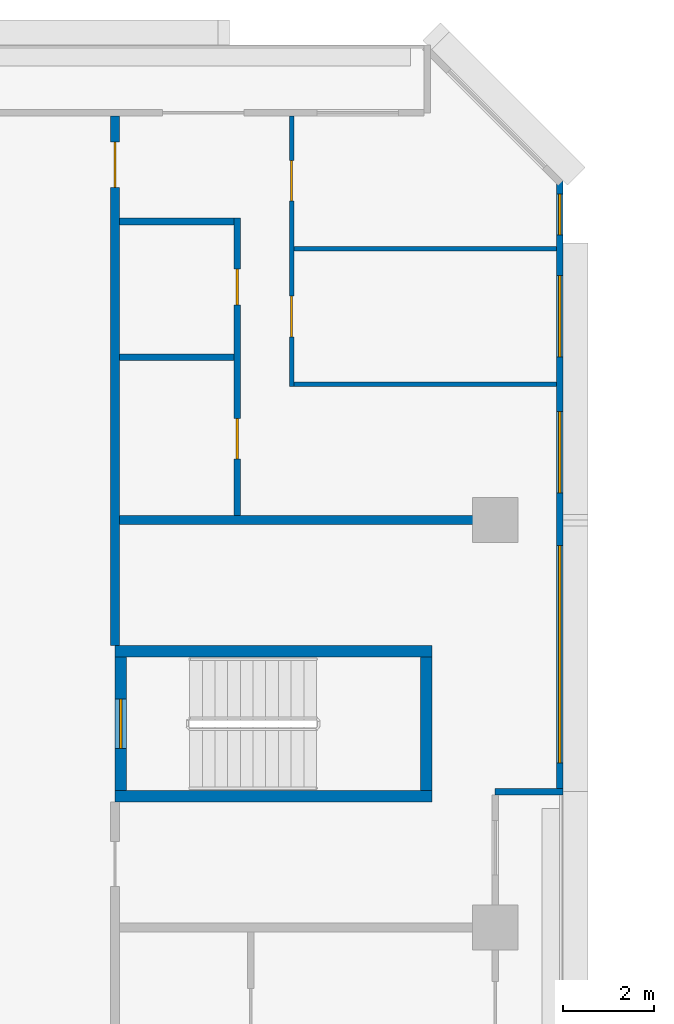
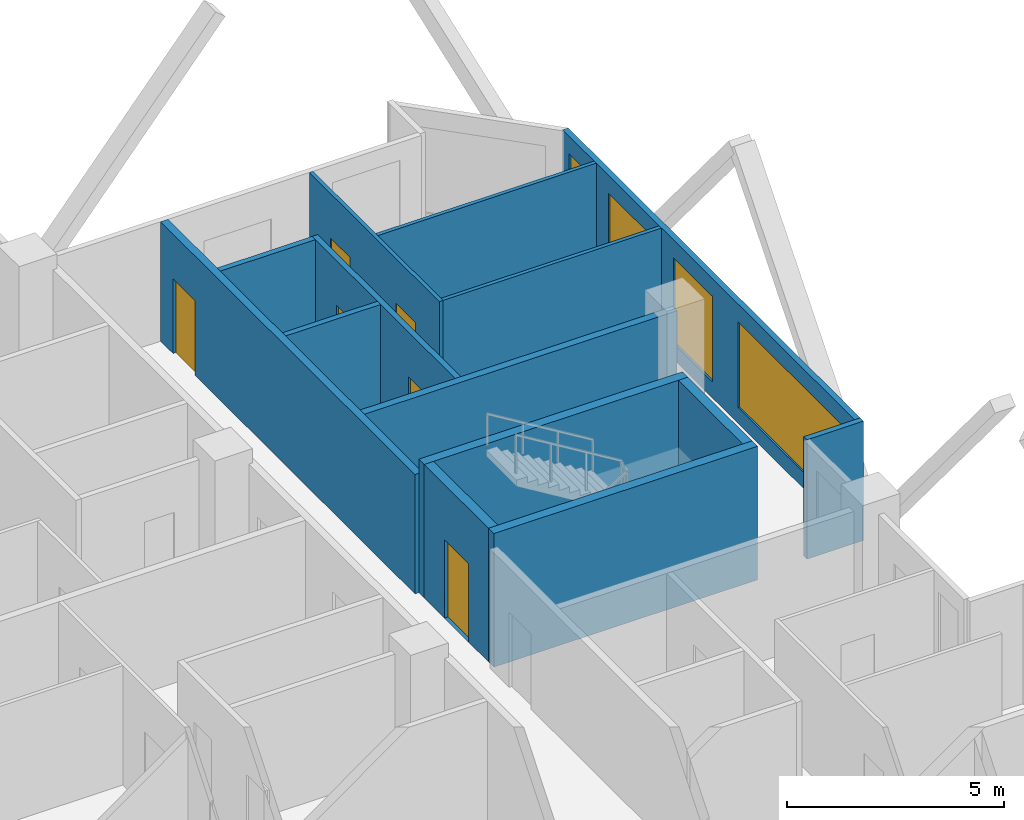
# One storey, part 11 of 16: 14 walls, 6 doors, 4 windows, 10 openings.
"""IFC4 building model written with IfcOpenShell, lengths in metres."""

from ifc_helpers import new_model, si_unit, direction, frame, frame_2d, origin, place, context, subcontext, project, spatial, rectangle, extrude, material, layer, layer_set, type_object, element, fill, save


model = new_model("IFC4")

# Units and contexts
model_context = context("Model", 3, precision=1e-05, world=origin(), true_north=direction((0.0, 1.0)))
body_context = subcontext(model_context, "Body", "Model", "MODEL_VIEW")
ifc_project = project(units=[si_unit("LENGTHUNIT", "METRE"), si_unit("AREAUNIT", "SQUARE_METRE"), si_unit("VOLUMEUNIT", "CUBIC_METRE"), si_unit("PLANEANGLEUNIT", "RADIAN"), si_unit("MASSUNIT", "GRAM", prefix="KILO")], contexts=[model_context])

# Site, building, storey
site_placement = place(None, origin())
site = spatial("IfcSite", under=ifc_project, at=site_placement, CompositionType="ELEMENT")
building_placement = place(site_placement, origin())
building = spatial("IfcBuilding", under=site, at=building_placement, Name="Chenar Terraces", CompositionType="ELEMENT")
storey_placement = place(building_placement, frame((0.0, 0.0, 99.39990234375)))
storey = spatial("IfcBuildingStorey", under=building, at=storey_placement, Name="L22", CompositionType="ELEMENT", Elevation=99.39990234375)

# Walls
ifc_material_1 = material(Name="Concrete C70/85", Category="concrete")
ifc_layer_1 = layer(ifc_material_1, 0.25)
ifc_layer_set_1 = layer_set([ifc_layer_1], Name="Concrete C70/85")
wall_type_1 = type_object("IfcWallType", Name="Core wall 250 Concrete C70/85", PredefinedType="SHEAR", material=ifc_layer_set_1)
for number, where, z_axis, x_axis, name in (
    (1, (15.60009765625, 47.89990234375, 0.0), (0.0, 0.0, 1.0), (1.0, 0.0, 0.0), "Core wall ST4_S L22"),
    (2, (15.60009765625, 51.10009765625, 0.0), (0.0, 0.0, 1.0), (1.0, 0.0, 0.0), "Core wall ST4_N L22"),
):
    element("IfcWall", number, at=place(storey_placement, frame(where, z_axis=z_axis, x_axis=x_axis)), inside=storey, type_object=wall_type_1, Name=name, PredefinedType="SHEAR", context=body_context, shape_type="SweptSolid", body=[
        extrude(rectangle(XDim=7.0, YDim=0.25, at=frame_2d((3.5, 0.0))), origin(), (0.0, 0.0, 1.0), 3.75),
    ])

# Wall, opening, door
wall_1_placement = place(storey_placement, frame((15.72509765625, 48.02490234375, 0.0), z_axis=(0.0, 0.0, 1.0), x_axis=(0.0, 1.0, 0.0)))
wall_1 = element("IfcWall", 3, at=wall_1_placement, inside=storey, type_object=wall_type_1, Name="Core wall ST4_W L22", PredefinedType="SHEAR", context=body_context, shape_type="SweptSolid", body=[
    extrude(rectangle(XDim=2.9501953125, YDim=0.25, at=frame_2d((1.47509765625, 0.0))), origin(), (0.0, 0.0, 1.0), 3.75),
])
opening_1_placement = place(wall_1_placement, frame((0.925048828125, 0.0, 0.0)))
opening_1 = element("IfcOpeningElement", 4, at=opening_1_placement, cuts=wall_1, Name="Opening DL22-C9", PredefinedType="OPENING", context=body_context, shape_type="SweptSolid", body=[
    extrude(rectangle(XDim=1.10009765625, YDim=2.199951171875, at=frame_2d((0.550048828125, 1.10009765625))), frame((0.0, 0.135009765625, 0.0), z_axis=(0.0, -1.0, 0.0), x_axis=(1.0, 0.0, 0.0)), (0.0, 0.0, 1.0), 0.27001953125),
])
ifc_material_2 = material(Name="Steel-framed fire-resisting door leaf", Category="steel")
door_type_1 = type_object("IfcDoorType", Name="Stair fire door FD60 1100 x 2200", OperationType="SINGLE_SWING_LEFT", PredefinedType="DOOR", material=ifc_material_2)
door_1_placement = place(opening_1_placement, frame((1.10009765625, 0.0, 0.0), z_axis=(0.0, 0.0, 1.0), x_axis=(-1.0, 0.0, 0.0)))
door_1 = element("IfcDoor", 5, at=door_1_placement, inside=storey, type_object=door_type_1, Name="Stair door DL22-C9", OperationType="SINGLE_SWING_RIGHT", OverallHeight=2.199951171875, OverallWidth=1.10009765625, PredefinedType="DOOR", context=body_context, shape_type="SweptSolid", body=[
    extrude(rectangle(XDim=1.10009765625, YDim=2.199951171875, at=frame_2d((0.550048828125, 1.10009765625))), frame((0.0, 0.02490234375, 0.0), z_axis=(0.0, -1.0, 0.0), x_axis=(1.0, 0.0, 0.0)), (0.0, 0.0, 1.0), 0.050048828125),
])
fill(opening_1, door_1)

# Wall
wall_2_placement = place(storey_placement, frame((22.47509765625, 48.02490234375, 0.0), z_axis=(0.0, 0.0, 1.0), x_axis=(0.0, 1.0, 0.0)))
element("IfcWall", 6, at=wall_2_placement, inside=storey, type_object=wall_type_1, Name="Core wall ST4_E L22", PredefinedType="SHEAR", context=body_context, shape_type="SweptSolid", body=[
    extrude(rectangle(XDim=2.9501953125, YDim=0.25, at=frame_2d((1.47509765625, 0.0))), origin(), (0.0, 0.0, 1.0), 3.75),
])

# Wall, opening, door
ifc_material_3 = material(Name="Gypsum board on steel studs with fire boards", Category="steel")
ifc_layer_2 = layer(ifc_material_3, 0.199951171875)
ifc_layer_set_2 = layer_set([ifc_layer_2], Name="Gypsum board on steel studs with fire boards")
wall_type_2 = type_object("IfcWallType", Name="Corridor wall 200", PredefinedType="PARTITIONING", material=ifc_layer_set_2)
wall_3_placement = place(storey_placement, frame((15.60009765625, 51.22509765625, 0.0), z_axis=(0.0, 0.0, 1.0), x_axis=(0.0, 1.0, 0.0)))
wall_3 = element("IfcWall", 7, at=wall_3_placement, inside=storey, type_object=wall_type_2, Name="Partition L22-037", PredefinedType="PARTITIONING", context=body_context, shape_type="SweptSolid", body=[
    extrude(rectangle(XDim=11.700927734375, YDim=0.199951171875, at=frame_2d((5.8505859375, 0.0))), origin(), (0.0, 0.0, 1.0), 3.35009765625),
])
opening_2_placement = place(wall_3_placement, frame((10.125, 0.0, 0.0)))
opening_2 = element("IfcOpeningElement", 8, at=opening_2_placement, cuts=wall_3, Name="Opening DL22-33", PredefinedType="OPENING", context=body_context, shape_type="SweptSolid", body=[
    extrude(rectangle(XDim=1.0, YDim=2.10009765625, at=frame_2d((0.5, 1.050048828125))), frame((0.0, 0.10986328125, 0.0), z_axis=(0.0, -1.0, 0.0), x_axis=(1.0, 0.0, 0.0)), (0.0, 0.0, 1.0), 0.219970703125),
])
ifc_material_4 = material(Name="Steel-framed fire-resisting door leaf", Category="steel")
door_type_2 = type_object("IfcDoorType", Name="Fire door FD30S 1000 x 2100", OperationType="SINGLE_SWING_LEFT", PredefinedType="DOOR", material=ifc_material_4)
door_2_placement = place(opening_2_placement, frame((1.0, 0.0, 0.0), z_axis=(0.0, 0.0, 1.0), x_axis=(-1.0, 0.0, 0.0)))
door_2 = element("IfcDoor", 9, at=door_2_placement, inside=storey, type_object=door_type_2, Name="Door DL22-33", OperationType="SINGLE_SWING_LEFT", OverallHeight=2.10009765625, OverallWidth=1.0, PredefinedType="DOOR", context=body_context, shape_type="SweptSolid", body=[
    extrude(rectangle(XDim=1.0, YDim=2.10009765625, at=frame_2d((0.5, 1.050048828125))), frame((0.0, 0.02490234375, 0.0), z_axis=(0.0, -1.0, 0.0), x_axis=(1.0, 0.0, 0.0)), (0.0, 0.0, 1.0), 0.050048828125),
])
fill(opening_2, door_2)

# Wall, openings, windows
ifc_material_5 = material(Name="Aluminium framed glazing", Category="aluminium")
ifc_layer_3 = layer(ifc_material_5, 0.14990234375)
ifc_layer_set_3 = layer_set([ifc_layer_3], Name="Aluminium framed glazing")
wall_type_3 = type_object("IfcWallType", Name="Glazed flush facade wall 150", PredefinedType="SOLIDWALL", material=ifc_layer_set_3)
wall_4_placement = place(storey_placement, frame((25.425048828125, 48.074951171875, 0.0), z_axis=(0.0, 0.0, 1.0), x_axis=(0.0, 1.0, 0.0)))
wall_4 = element("IfcWall", 10, at=wall_4_placement, inside=storey, type_object=wall_type_3, Name="Glazed flush facade wall", PredefinedType="SOLIDWALL", context=body_context, shape_type="SweptSolid", body=[
    extrude(rectangle(XDim=13.425048828125, YDim=0.14990234375, at=frame_2d((6.71240234375, 0.0))), origin(), (0.0, 0.0, 1.0), 3.35009765625),
])
opening_3_placement = place(wall_4_placement, frame((0.5625, 0.0, 0.449951171875)))
opening_3 = element("IfcOpeningElement", 11, at=opening_3_placement, cuts=wall_4, Name="Opening W480x240", PredefinedType="OPENING", context=body_context, shape_type="SweptSolid", body=[
    extrude(rectangle(XDim=4.800048828125, YDim=2.39990234375, at=frame_2d((2.39990234375, 1.199951171875))), frame((0.0, 0.0849609375, 0.0), z_axis=(0.0, -1.0, 0.0), x_axis=(1.0, 0.0, 0.0)), (0.0, 0.0, 1.0), 0.169921875),
])
opening_4_placement = place(wall_4_placement, frame((6.52490234375, 0.0, 0.449951171875)))
opening_4 = element("IfcOpeningElement", 12, at=opening_4_placement, cuts=wall_4, Name="Opening W180x240", PredefinedType="OPENING", context=body_context, shape_type="SweptSolid", body=[
    extrude(rectangle(XDim=1.800048828125, YDim=2.39990234375, at=frame_2d((0.89990234375, 1.199951171875))), frame((0.0, 0.0849609375, 0.0), z_axis=(0.0, -1.0, 0.0), x_axis=(1.0, 0.0, 0.0)), (0.0, 0.0, 1.0), 0.169921875),
])
opening_5_placement = place(wall_4_placement, frame((9.52490234375, 0.0, 0.449951171875)))
opening_5 = element("IfcOpeningElement", 13, at=opening_5_placement, cuts=wall_4, Name="Opening W180x240", PredefinedType="OPENING", context=body_context, shape_type="SweptSolid", body=[
    extrude(rectangle(XDim=1.800048828125, YDim=2.39990234375, at=frame_2d((0.89990234375, 1.199951171875))), frame((0.0, 0.0849609375, 0.0), z_axis=(0.0, -1.0, 0.0), x_axis=(1.0, 0.0, 0.0)), (0.0, 0.0, 1.0), 0.169921875),
])
opening_6_placement = place(wall_4_placement, frame((12.22509765625, 0.0, 0.449951171875)))
opening_6 = element("IfcOpeningElement", 14, at=opening_6_placement, cuts=wall_4, Name="Opening W90x240", PredefinedType="OPENING", context=body_context, shape_type="SweptSolid", body=[
    extrude(rectangle(XDim=0.89990234375, YDim=2.39990234375, at=frame_2d((0.449951171875, 1.199951171875))), frame((0.0, 0.0849609375, 0.0), z_axis=(0.0, -1.0, 0.0), x_axis=(1.0, 0.0, 0.0)), (0.0, 0.0, 1.0), 0.169921875),
])
ifc_material_6 = material(Name="Low emissivity double glazing, aluminium frame", Category="aluminium")
window_type_1 = type_object("IfcWindowType", Name="Fixed light 1800 x 2400", PartitioningType="SINGLE_PANEL", PredefinedType="WINDOW", material=ifc_material_6)
window_1_placement = place(opening_4_placement, origin())
window_1 = element("IfcWindow", 15, at=window_1_placement, inside=storey, type_object=window_type_1, Name="Window", OverallHeight=2.39990234375, OverallWidth=1.800048828125, PartitioningType="SINGLE_PANEL", PredefinedType="WINDOW", context=body_context, shape_type="SweptSolid", body=[
    extrude(rectangle(XDim=1.800048828125, YDim=2.39990234375, at=frame_2d((0.89990234375, 1.199951171875))), frame((0.0, 0.030029296875, 0.0), z_axis=(0.0, -1.0, 0.0), x_axis=(1.0, 0.0, 0.0)), (0.0, 0.0, 1.0), 0.06005859375),
])
fill(opening_4, window_1)
window_2_placement = place(opening_5_placement, origin())
window_2 = element("IfcWindow", 16, at=window_2_placement, inside=storey, type_object=window_type_1, Name="Window", OverallHeight=2.39990234375, OverallWidth=1.800048828125, PartitioningType="SINGLE_PANEL", PredefinedType="WINDOW", context=body_context, shape_type="SweptSolid", body=[
    extrude(rectangle(XDim=1.800048828125, YDim=2.39990234375, at=frame_2d((0.89990234375, 1.199951171875))), frame((0.0, 0.030029296875, 0.0), z_axis=(0.0, -1.0, 0.0), x_axis=(1.0, 0.0, 0.0)), (0.0, 0.0, 1.0), 0.06005859375),
])
fill(opening_5, window_2)
ifc_material_7 = material(Name="Low emissivity double glazing, aluminium frame", Category="aluminium")
window_type_2 = type_object("IfcWindowType", Name="Fixed light 4800 x 2400", PartitioningType="SINGLE_PANEL", PredefinedType="WINDOW", material=ifc_material_7)
window_3_placement = place(opening_3_placement, origin())
window_3 = element("IfcWindow", 17, at=window_3_placement, inside=storey, type_object=window_type_2, Name="Window", OverallHeight=2.39990234375, OverallWidth=4.800048828125, PartitioningType="SINGLE_PANEL", PredefinedType="WINDOW", context=body_context, shape_type="SweptSolid", body=[
    extrude(rectangle(XDim=4.800048828125, YDim=2.39990234375, at=frame_2d((2.39990234375, 1.199951171875))), frame((0.0, 0.030029296875, 0.0), z_axis=(0.0, -1.0, 0.0), x_axis=(1.0, 0.0, 0.0)), (0.0, 0.0, 1.0), 0.06005859375),
])
fill(opening_3, window_3)
ifc_material_8 = material(Name="Low emissivity double glazing, aluminium frame", Category="aluminium")
window_type_3 = type_object("IfcWindowType", Name="Fixed light 900 x 2400", PartitioningType="SINGLE_PANEL", PredefinedType="WINDOW", material=ifc_material_8)
window_4_placement = place(opening_6_placement, origin())
window_4 = element("IfcWindow", 18, at=window_4_placement, inside=storey, type_object=window_type_3, Name="Window", OverallHeight=2.39990234375, OverallWidth=0.89990234375, PartitioningType="SINGLE_PANEL", PredefinedType="WINDOW", context=body_context, shape_type="SweptSolid", body=[
    extrude(rectangle(XDim=0.89990234375, YDim=2.39990234375, at=frame_2d((0.449951171875, 1.199951171875))), frame((0.0, 0.030029296875, 0.0), z_axis=(0.0, -1.0, 0.0), x_axis=(1.0, 0.0, 0.0)), (0.0, 0.0, 1.0), 0.06005859375),
])
fill(opening_6, window_4)

# Wall, openings, doors
ifc_material_9 = material(Name="Gypsum board on steel studs", Category="steel")
ifc_layer_4 = layer(ifc_material_9, 0.10009765625)
ifc_layer_set_4 = layer_set([ifc_layer_4], Name="Gypsum board on steel studs")
wall_type_4 = type_object("IfcWallType", Name="Gypsum partition 100", PredefinedType="PARTITIONING", material=ifc_layer_set_4)
wall_5_placement = place(storey_placement, frame((19.5, 56.949951171875, 0.0), z_axis=(0.0, 0.0, 1.0), x_axis=(0.0, 1.0, 0.0)))
wall_5 = element("IfcWall", 19, at=wall_5_placement, inside=storey, type_object=wall_type_4, Name="Partition L22-049", PredefinedType="PARTITIONING", context=body_context, shape_type="SweptSolid", body=[
    extrude(rectangle(XDim=5.97607421875, YDim=0.10009765625, at=frame_2d((2.988037109375, 0.0))), origin(), (0.0, 0.0, 1.0), 3.35009765625),
])
opening_7_placement = place(wall_5_placement, frame((1.10009765625, 0.0, 0.0)))
opening_7 = element("IfcOpeningElement", 20, at=opening_7_placement, cuts=wall_5, Name="Opening DL22-30", PredefinedType="OPENING", context=body_context, shape_type="SweptSolid", body=[
    extrude(rectangle(XDim=0.89990234375, YDim=2.10009765625, at=frame_2d((0.449951171875, 1.050048828125))), frame((0.0, 0.06005859375, 0.0), z_axis=(0.0, -1.0, 0.0), x_axis=(1.0, 0.0, 0.0)), (0.0, 0.0, 1.0), 0.1201171875),
])
opening_8_placement = place(wall_5_placement, frame((4.10009765625, 0.0, 0.0)))
opening_8 = element("IfcOpeningElement", 21, at=opening_8_placement, cuts=wall_5, Name="Opening DL22-31", PredefinedType="OPENING", context=body_context, shape_type="SweptSolid", body=[
    extrude(rectangle(XDim=0.89990234375, YDim=2.10009765625, at=frame_2d((0.449951171875, 1.050048828125))), frame((0.0, 0.06005859375, 0.0), z_axis=(0.0, -1.0, 0.0), x_axis=(1.0, 0.0, 0.0)), (0.0, 0.0, 1.0), 0.1201171875),
])
ifc_material_10 = material(Name="Veneered timber door leaf", Category="wood")
door_type_3 = type_object("IfcDoorType", Name="Door 900 x 2100", OperationType="SINGLE_SWING_LEFT", PredefinedType="DOOR", material=ifc_material_10)
door_3_placement = place(opening_7_placement, frame((0.89990234375, 0.0, 0.0), z_axis=(0.0, 0.0, 1.0), x_axis=(-1.0, 0.0, 0.0)))
door_3 = element("IfcDoor", 22, at=door_3_placement, inside=storey, type_object=door_type_3, Name="Door DL22-30", OperationType="SINGLE_SWING_RIGHT", OverallHeight=2.10009765625, OverallWidth=0.89990234375, PredefinedType="DOOR", context=body_context, shape_type="SweptSolid", body=[
    extrude(rectangle(XDim=0.89990234375, YDim=2.10009765625, at=frame_2d((0.449951171875, 1.050048828125))), frame((0.0, 0.02490234375, 0.0), z_axis=(0.0, -1.0, 0.0), x_axis=(1.0, 0.0, 0.0)), (0.0, 0.0, 1.0), 0.050048828125),
])
fill(opening_7, door_3)
door_4_placement = place(opening_8_placement, frame((0.89990234375, 0.0, 0.0), z_axis=(0.0, 0.0, 1.0), x_axis=(-1.0, 0.0, 0.0)))
door_4 = element("IfcDoor", 23, at=door_4_placement, inside=storey, type_object=door_type_3, Name="Door DL22-31", OperationType="SINGLE_SWING_RIGHT", OverallHeight=2.10009765625, OverallWidth=0.89990234375, PredefinedType="DOOR", context=body_context, shape_type="SweptSolid", body=[
    extrude(rectangle(XDim=0.89990234375, YDim=2.10009765625, at=frame_2d((0.449951171875, 1.050048828125))), frame((0.0, 0.02490234375, 0.0), z_axis=(0.0, -1.0, 0.0), x_axis=(1.0, 0.0, 0.0)), (0.0, 0.0, 1.0), 0.050048828125),
])
fill(opening_8, door_4)

# Walls
wall_6_placement = place(storey_placement, frame((19.550048828125, 57.0, 0.0), z_axis=(0.0, 0.0, 1.0), x_axis=(1.0, 0.0, 0.0)))
element("IfcWall", 24, at=wall_6_placement, inside=storey, type_object=wall_type_4, Name="Partition L22-050", PredefinedType="PARTITIONING", context=body_context, shape_type="SweptSolid", body=[
    extrude(rectangle(XDim=5.800048828125, YDim=0.10009765625, at=frame_2d((2.89990234375, 0.0))), origin(), (0.0, 0.0, 1.0), 3.35009765625),
])
wall_7_placement = place(storey_placement, frame((19.550048828125, 60.0, 0.0), z_axis=(0.0, 0.0, 1.0), x_axis=(1.0, 0.0, 0.0)))
element("IfcWall", 25, at=wall_7_placement, inside=storey, type_object=wall_type_4, Name="Partition L22-051", PredefinedType="PARTITIONING", context=body_context, shape_type="SweptSolid", body=[
    extrude(rectangle(XDim=5.801025390625, YDim=0.10009765625, at=frame_2d((2.900390625, 0.0))), origin(), (0.0, 0.0, 1.0), 3.35009765625),
])
ifc_material_11 = material(Name="Terracotta cladding on insulated backing", Category="masonry")
ifc_layer_5 = layer(ifc_material_11, 0.14990234375)
ifc_layer_set_5 = layer_set([ifc_layer_5], Name="Terracotta cladding on insulated backing")
wall_type_5 = type_object("IfcWallType", Name="Loggia return wall 150", PredefinedType="SOLIDWALL", material=ifc_layer_set_5)
wall_8_placement = place(storey_placement, frame((25.5, 48.0, 0.0), z_axis=(0.0, 0.0, 1.0), x_axis=(-1.0, 0.0, 0.0)))
element("IfcWall", 26, at=wall_8_placement, inside=storey, type_object=wall_type_5, Name="Loggia return wall", PredefinedType="SOLIDWALL", context=body_context, shape_type="SweptSolid", body=[
    extrude(rectangle(XDim=1.5, YDim=0.14990234375, at=frame_2d((0.75, 0.0))), origin(), (0.0, 0.0, 1.0), 3.35009765625),
])
ifc_material_12 = material(Name="Twin gypsum board on steel studs with mineral wool", Category="steel")
ifc_layer_6 = layer(ifc_material_12, 0.199951171875)
ifc_layer_set_6 = layer_set([ifc_layer_6], Name="Twin gypsum board on steel studs with mineral wool")
wall_type_6 = type_object("IfcWallType", Name="Unit demising wall 200", PredefinedType="PARTITIONING", material=ifc_layer_set_6)
wall_9_placement = place(storey_placement, frame((15.699951171875, 54.0, 0.0), z_axis=(0.0, 0.0, 1.0), x_axis=(1.0, 0.0, 0.0)))
element("IfcWall", 27, at=wall_9_placement, inside=storey, type_object=wall_type_6, Name="Partition L22-044", PredefinedType="PARTITIONING", context=body_context, shape_type="SweptSolid", body=[
    extrude(rectangle(XDim=8.300048828125, YDim=0.199951171875, at=frame_2d((4.14990234375, 0.0))), origin(), (0.0, 0.0, 1.0), 3.35009765625),
])
ifc_material_13 = material(Name="Moisture-resistant gypsum board on steel studs", Category="steel")
ifc_layer_7 = layer(ifc_material_13, 0.14990234375)
ifc_layer_set_7 = layer_set([ifc_layer_7], Name="Moisture-resistant gypsum board on steel studs")
wall_type_7 = type_object("IfcWallType", Name="Wet-room partition 150", PredefinedType="PARTITIONING", material=ifc_layer_set_7)
for number, where, z_axis, x_axis, name in (
    (28, (15.699951171875, 57.60009765625, 0.0), (0.0, 0.0, 1.0), (1.0, 0.0, 0.0), "Partition L22-045"),
    (29, (15.699951171875, 60.60009765625, 0.0), (0.0, 0.0, 1.0), (1.0, 0.0, 0.0), "Partition L22-046"),
):
    element("IfcWall", number, at=place(storey_placement, frame(where, z_axis=z_axis, x_axis=x_axis)), inside=storey, type_object=wall_type_7, Name=name, PredefinedType="PARTITIONING", context=body_context, shape_type="SweptSolid", body=[
        extrude(rectangle(XDim=2.525146484375, YDim=0.14990234375, at=frame_2d((1.2626953125, 0.0))), origin(), (0.0, 0.0, 1.0), 3.35009765625),
    ])

# Wall, openings, doors
wall_10_placement = place(storey_placement, frame((18.300048828125, 54.10009765625, 0.0), z_axis=(0.0, 0.0, 1.0), x_axis=(0.0, 1.0, 0.0)))
wall_10 = element("IfcWall", 30, at=wall_10_placement, inside=storey, type_object=wall_type_7, Name="Partition L22-047", PredefinedType="PARTITIONING", context=body_context, shape_type="SweptSolid", body=[
    extrude(rectangle(XDim=6.574951171875, YDim=0.14990234375, at=frame_2d((3.28759765625, 0.0))), origin(), (0.0, 0.0, 1.0), 3.35009765625),
])
opening_9_placement = place(wall_10_placement, frame((4.64990234375, 0.0, 0.0)))
opening_9 = element("IfcOpeningElement", 31, at=opening_9_placement, cuts=wall_10, Name="Opening DL22-29", PredefinedType="OPENING", context=body_context, shape_type="SweptSolid", body=[
    extrude(rectangle(XDim=0.800048828125, YDim=2.10009765625, at=frame_2d((0.39990234375, 1.050048828125))), frame((0.0, 0.0849609375, 0.0), z_axis=(0.0, -1.0, 0.0), x_axis=(1.0, 0.0, 0.0)), (0.0, 0.0, 1.0), 0.169921875),
])
opening_10_placement = place(wall_10_placement, frame((1.25, 0.0, 0.0)))
opening_10 = element("IfcOpeningElement", 32, at=opening_10_placement, cuts=wall_10, Name="Opening DL22-32", PredefinedType="OPENING", context=body_context, shape_type="SweptSolid", body=[
    extrude(rectangle(XDim=0.89990234375, YDim=2.10009765625, at=frame_2d((0.449951171875, 1.050048828125))), frame((0.0, 0.0849609375, 0.0), z_axis=(0.0, -1.0, 0.0), x_axis=(1.0, 0.0, 0.0)), (0.0, 0.0, 1.0), 0.169921875),
])
ifc_material_14 = material(Name="Veneered timber door leaf", Category="wood")
door_type_4 = type_object("IfcDoorType", Name="Door 800 x 2100", OperationType="SINGLE_SWING_LEFT", PredefinedType="DOOR", material=ifc_material_14)
door_5_placement = place(opening_9_placement, origin())
door_5 = element("IfcDoor", 33, at=door_5_placement, inside=storey, type_object=door_type_4, Name="Door DL22-29", OperationType="SINGLE_SWING_RIGHT", OverallHeight=2.10009765625, OverallWidth=0.800048828125, PredefinedType="DOOR", context=body_context, shape_type="SweptSolid", body=[
    extrude(rectangle(XDim=0.800048828125, YDim=2.10009765625, at=frame_2d((0.39990234375, 1.050048828125))), frame((0.0, 0.02490234375, 0.0), z_axis=(0.0, -1.0, 0.0), x_axis=(1.0, 0.0, 0.0)), (0.0, 0.0, 1.0), 0.050048828125),
])
fill(opening_9, door_5)
door_6_placement = place(opening_10_placement, origin())
door_6 = element("IfcDoor", 34, at=door_6_placement, inside=storey, type_object=door_type_3, Name="Door DL22-32", OperationType="SINGLE_SWING_RIGHT", OverallHeight=2.10009765625, OverallWidth=0.89990234375, PredefinedType="DOOR", context=body_context, shape_type="SweptSolid", body=[
    extrude(rectangle(XDim=0.89990234375, YDim=2.10009765625, at=frame_2d((0.449951171875, 1.050048828125))), frame((0.0, 0.02490234375, 0.0), z_axis=(0.0, -1.0, 0.0), x_axis=(1.0, 0.0, 0.0)), (0.0, 0.0, 1.0), 0.050048828125),
])
fill(opening_10, door_6)

save(model, "model.ifc")
